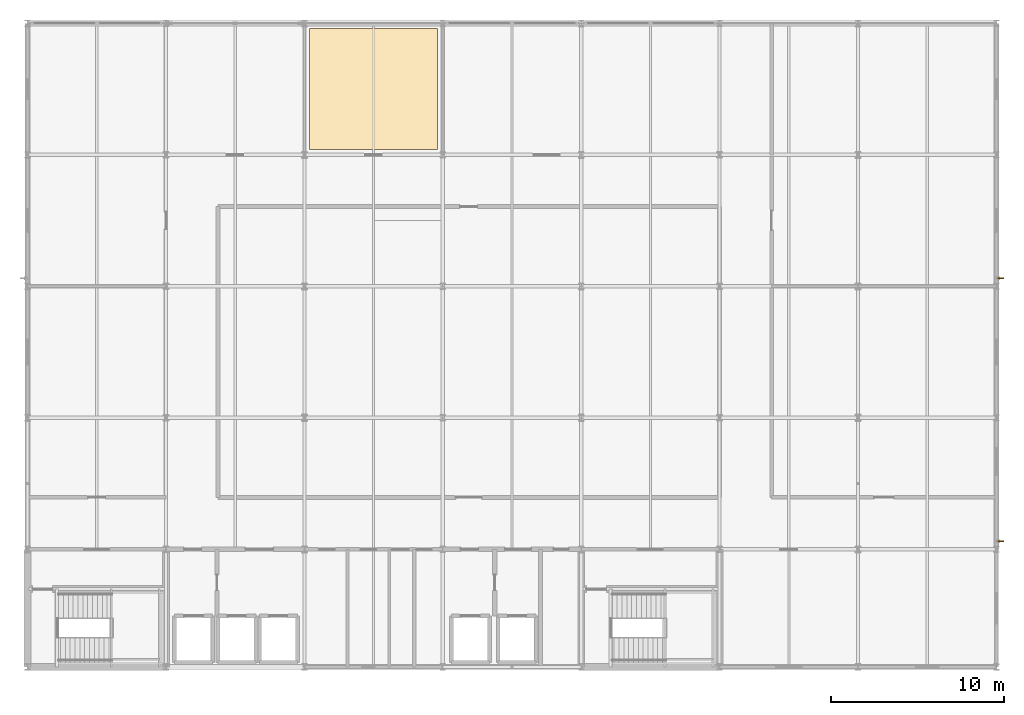
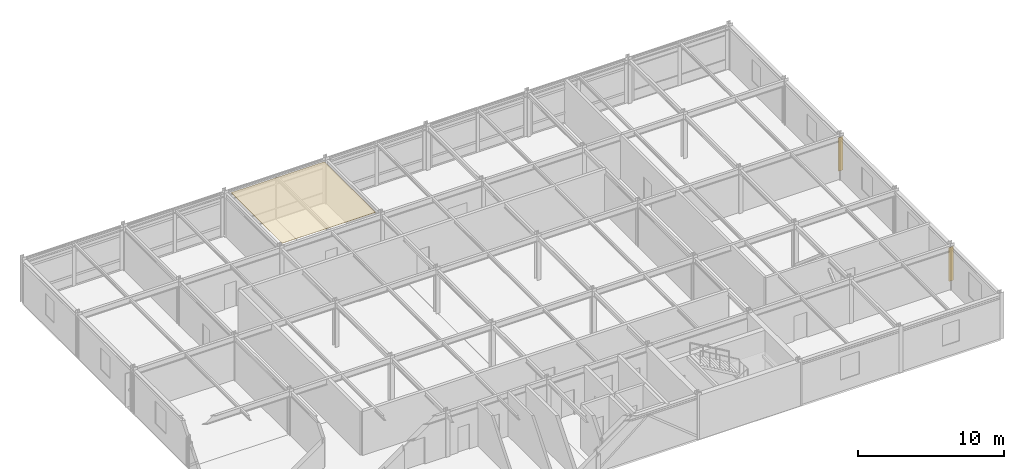
# One storey, part 15 of 15: 2 shading devices, 1 covering.
"""IFC4 building model written with IfcOpenShell, lengths in metres."""

from ifc_helpers import new_model, si_unit, direction, frame, origin, origin_2d, place, context, subcontext, project, spatial, polyline, rectangle, outline, extrude, material, layer, layer_set, type_object, element, save


model = new_model("IFC4")

# Units and contexts
model_context = context("Model", 3, precision=1e-05, world=origin(), true_north=direction((0.0, 1.0)))
body_context = subcontext(model_context, "Body", "Model", "MODEL_VIEW")
ifc_project = project(units=[si_unit("LENGTHUNIT", "METRE"), si_unit("AREAUNIT", "SQUARE_METRE"), si_unit("VOLUMEUNIT", "CUBIC_METRE"), si_unit("PLANEANGLEUNIT", "RADIAN"), si_unit("MASSUNIT", "GRAM", prefix="KILO")], contexts=[model_context])

# Site, building, storey
site_placement = place(None, origin())
site = spatial("IfcSite", under=ifc_project, at=site_placement, CompositionType="ELEMENT")
building_placement = place(site_placement, origin())
building = spatial("IfcBuilding", under=site, at=building_placement, Name="Shalkamar Park Central Library", CompositionType="ELEMENT")
storey_placement = place(building_placement, frame((0.0, 0.0, 39.89990234375)))
storey = spatial("IfcBuildingStorey", under=building, at=storey_placement, Name="L10", CompositionType="ELEMENT", Elevation=39.89990234375)

# Covering
ifc_material_1 = material(Name="Acoustic mineral fibre ceiling panel", Category="other")
ifc_layer_1 = layer(ifc_material_1, 0.02490234375)
ifc_layer_set_1 = layer_set([ifc_layer_1], Name="AcousticMineralCeilingTile")
covering_type = type_object("IfcCoveringType", Name="Acoustic Mineral Ceiling Tile", PredefinedType="CEILING", material=ifc_layer_set_1)
covering_placement = place(storey_placement, frame((0.0, 0.0, 3.655029296875)))
element("IfcCovering", 1, at=covering_placement, inside=storey, type_object=covering_type, Name="Acoustic Reading Ceiling Panel L10", PredefinedType="CEILING", context=body_context, shape_type="SweptSolid", body=[
    extrude(outline(polyline([(181.300048828125, 278.300048828125), (188.699951171875, 278.300048828125), (188.699951171875, 285.300048828125), (181.300048828125, 285.300048828125), (181.300048828125, 278.300048828125)])), origin(), (0.0, 0.0, 1.0), 0.025146484375),
])

# Shading devices
ifc_material_2 = material(Name="Anodized bronze aluminium solar fin", Category="aluminium")
ifc_layer_2 = layer(ifc_material_2, 0.06005859375)
ifc_layer_set_2 = layer_set([ifc_layer_2], Name="BronzeSolarLouvreBlade")
shading_device_type = type_object("IfcShadingDeviceType", Name="Bronze Solar Louvre Blade", PredefinedType="SHUTTER", material=ifc_layer_set_2)
for number, where, z_axis, x_axis, name in (
    (2, (221.260009765625, 255.656005859375, 0.300048828125), (0.0, 0.0, 1.0), (1.0, 0.0, 0.0), "Vertical Solar Fin L10-015"),
    (3, (221.260009765625, 270.85595703125, 0.300048828125), (0.0, 0.0, 1.0), (1.0, 0.0, 0.0), "Vertical Solar Fin L10-016"),
):
    element("IfcShadingDevice", number, at=place(storey_placement, frame(where, z_axis=z_axis, x_axis=x_axis)), inside=storey, type_object=shading_device_type, Name=name, PredefinedType="SHUTTER", context=body_context, shape_type="SweptSolid", body=[
        extrude(rectangle(XDim=0.35009765625, YDim=0.06005859375, at=origin_2d()), origin(), (0.0, 0.0, 1.0), 2.80810546875),
    ])

save(model, "model.ifc")
